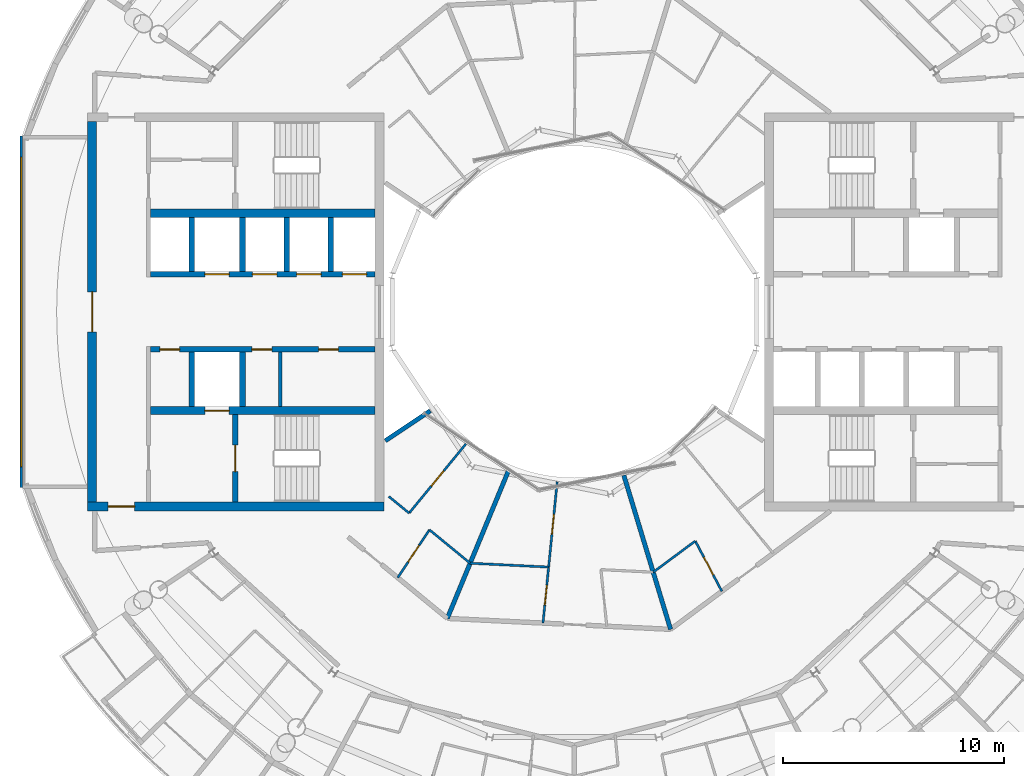
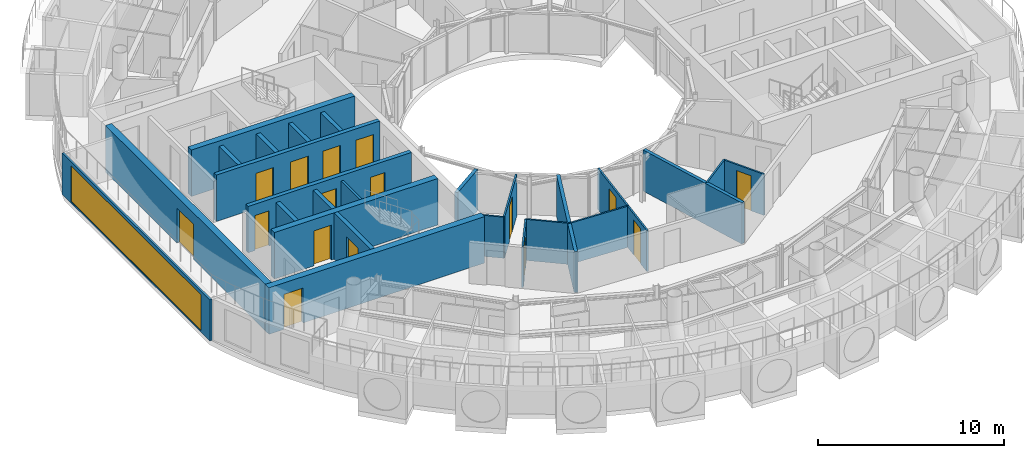
# One storey, part 14 of 25: 26 walls, 16 doors, 1 window, 17 openings.
"""IFC4 building model written with IfcOpenShell, lengths in metres."""

import ifcopenshell
import ifcopenshell.guid

model = None  # the IFC model being written
_history = None  # IfcOwnerHistory: only IFC2X3 demands one
_inside = {}  # id of a spatial element -> (the spatial element, [elements in it])
_under = {}  # id of a project, library or spatial element -> (it, [spatial elements below it])
_declared = {}  # id of a project -> (the project, [libraries it declares])
_typed = {}  # id of a type object -> (the type object, [elements of that type])
_made_of = {}  # id of a material, layer set ... -> (it, [elements and type objects made of it])


def new_model(schema):
    """Start an empty IFC model of exactly this schema.

    Asked for "IFC4X3", IfcOpenShell would pick the latest addendum, in which some entities
    have other attributes; the version numbers below select the first issue.
    IFC2X3 requires an IfcOwnerHistory on every rooted entity: one is made here for all.
    """
    global model, _history
    if schema == "IFC4X3":
        model = ifcopenshell.file(schema_version=(4, 3, 0, 0))
    else:
        model = ifcopenshell.file(schema=schema)
    _inside.clear()
    _under.clear()
    _declared.clear()
    _typed.clear()
    _made_of.clear()
    _history = None
    if model.schema == "IFC2X3":
        org = make("IfcOrganization", Name="unknown")
        user = make(
            "IfcPersonAndOrganization",
            ThePerson=make("IfcPerson", FamilyName="unknown"),
            TheOrganization=org,
        )
        app = make(
            "IfcApplication",
            ApplicationDeveloper=org,
            Version="unknown",
            ApplicationFullName="unknown",
            ApplicationIdentifier="unknown",
        )
        _history = make(
            "IfcOwnerHistory",
            OwningUser=user,
            OwningApplication=app,
            ChangeAction="ADDED",
            CreationDate=0,
        )
    return model


def make(cls, **values):
    """One entity of the class cls with the attributes given. An attribute that is None is left unset."""
    return model.create_entity(
        cls, **{name: value for name, value in values.items() if value is not None}
    )


def rooted(cls, **values):
    """An entity with a GlobalId (a new one), such as an element, a storey or a relation."""
    return make(cls, GlobalId=ifcopenshell.guid.new(), OwnerHistory=_history, **values)


def si_unit(unit_type, name, prefix=None):
    """IfcSIUnit, for example si_unit("LENGTHUNIT", "METRE", prefix="MILLI")."""
    return make("IfcSIUnit", UnitType=unit_type, Prefix=prefix, Name=name)


def assignment(units):
    """IfcUnitAssignment: the units of a project."""
    return None if units is None else make("IfcUnitAssignment", Units=units)


def point(xyz):
    """IfcCartesianPoint."""
    return None if xyz is None else make("IfcCartesianPoint", Coordinates=xyz)


def direction(xyz):
    """IfcDirection."""
    return None if xyz is None else make("IfcDirection", DirectionRatios=xyz)


def frame(location, z_axis=None, x_axis=None):
    """IfcAxis2Placement3D, a coordinate frame: its origin and axes. An axis left out is left unset."""
    return make(
        "IfcAxis2Placement3D",
        Location=point(location),
        Axis=direction(z_axis),
        RefDirection=direction(x_axis),
    )


def frame_2d(location, x_axis=None):
    """IfcAxis2Placement2D, a coordinate frame in the plane: its origin and x axis."""
    return make(
        "IfcAxis2Placement2D", Location=point(location), RefDirection=direction(x_axis)
    )


def origin():
    """The frame at (0, 0, 0) with its axes left unset."""
    return frame((0.0, 0.0, 0.0))


def place(relative_to, where):
    """IfcLocalPlacement: puts the frame where relative to a parent placement (None: the world)."""
    return make(
        "IfcLocalPlacement", PlacementRelTo=relative_to, RelativePlacement=where
    )


def context(
    kind, dimensions, precision=None, world=None, true_north=None, identifier=None
):
    """IfcGeometricRepresentationContext, for example the 3D "Model" context."""
    return make(
        "IfcGeometricRepresentationContext",
        ContextIdentifier=identifier,
        ContextType=kind,
        CoordinateSpaceDimension=dimensions,
        Precision=precision,
        WorldCoordinateSystem=world,
        TrueNorth=true_north,
    )


def subcontext(parent, identifier, kind, view, scale=None):
    """IfcGeometricRepresentationSubContext, for example "Body" below "Model"."""
    return make(
        "IfcGeometricRepresentationSubContext",
        ContextIdentifier=identifier,
        ContextType=kind,
        ParentContext=parent,
        TargetScale=scale,
        TargetView=view,
    )


def project(units=None, contexts=None):
    """IfcProject with its units and contexts."""
    return rooted(
        "IfcProject",
        Name="project",
        RepresentationContexts=contexts,
        UnitsInContext=assignment(units),
    )


def spatial(cls, under=None, at=None, **own):
    """A site, building, storey or space (cls), placed at a placement, below another one or the project."""
    s = rooted(cls, ObjectPlacement=at, **own)
    if under is not None:
        _under.setdefault(under.id(), (under, []))[1].append(s)
    return s


def profile(cls, at=None, kind="AREA", **sizes):
    """A parametric profile (cls). Its sizes go by their IFC names, for example OverallWidth=200.0."""
    return make(cls, ProfileType=kind, Position=at, **sizes)


def rectangle(**sizes):
    """IfcRectangleProfileDef."""
    return profile("IfcRectangleProfileDef", **sizes)


def extrude(swept, where, along, depth):
    """IfcExtrudedAreaSolid: the profile swept, set in the frame where, extruded along a direction by depth."""
    return make(
        "IfcExtrudedAreaSolid",
        SweptArea=swept,
        Position=where,
        ExtrudedDirection=direction(along),
        Depth=depth,
    )


def shape(context_of_items, identifier, shape_type, items):
    """IfcShapeRepresentation: the items that make up one representation, for example the "Body"."""
    return make(
        "IfcShapeRepresentation",
        ContextOfItems=context_of_items,
        RepresentationIdentifier=identifier,
        RepresentationType=shape_type,
        Items=items,
    )


def material(Name=None, Category=None):
    """IfcMaterial."""
    return make("IfcMaterial", Name=Name, Category=Category)


def layer(
    of_material, thickness, ventilated=None, Name=None, Category=None, Priority=None
):
    """IfcMaterialLayer: one layer of a wall or slab, of a material (None: an air gap)."""
    return make(
        "IfcMaterialLayer",
        Material=of_material,
        LayerThickness=thickness,
        IsVentilated=ventilated,
        Name=Name,
        Category=Category,
        Priority=Priority,
    )


def layer_set(layers, Name=None):
    """IfcMaterialLayerSet."""
    return make("IfcMaterialLayerSet", MaterialLayers=layers, LayerSetName=Name)


def made_of(thing, what):
    """Note that an element or type object is made of a material, layer set ...; save() writes the relation."""
    if what is not None:
        _made_of.setdefault(what.id(), (what, []))[1].append(thing)
    return thing


def type_object(cls, material=None, **own):
    """A type object (cls), such as IfcWallType, which elements share."""
    return made_of(rooted(cls, **own), material)


def element(
    cls,
    number,
    at=None,
    inside=None,
    cuts=None,
    type_object=None,
    material=None,
    context=None,
    identifier="Body",
    shape_type=None,
    held_by="IfcProductDefinitionShape",
    body=None,
    shapes=None,
    **own,
):
    """One element of the class cls, such as IfcWall. Its Tag is "e" and its number.

    at: its placement. inside: the storey or other place that contains it. cuts: it is an
    opening in that element (IfcRelVoidsElement). A single representation is given by context,
    identifier, shape_type and body (its items); several are given by shapes. held_by: the class
    of the entity that holds the representations. save() writes the other relations.
    """
    e = rooted(cls, Tag="e%d" % number, ObjectPlacement=at, **own)
    if body is not None:
        shapes = [shape(context, identifier, shape_type, body)]
    if shapes is not None:
        e.Representation = make(held_by, Representations=shapes)
    if inside is not None:
        _inside.setdefault(inside.id(), (inside, []))[1].append(e)
    if cuts is not None:
        rooted(
            "IfcRelVoidsElement", RelatingBuildingElement=cuts, RelatedOpeningElement=e
        )
    if type_object is not None:
        _typed.setdefault(type_object.id(), (type_object, []))[1].append(e)
    return made_of(e, material)


def fill(opening, filler):
    """IfcRelFillsElement: the door or window that sits in an opening."""
    return rooted(
        "IfcRelFillsElement",
        RelatingOpeningElement=opening,
        RelatedBuildingElement=filler,
    )


def aggregate(whole, parts):
    """IfcRelAggregates: a whole, such as a stair, and the parts it consists of."""
    return rooted("IfcRelAggregates", RelatingObject=whole, RelatedObjects=parts)


def save(model, path):
    """Write the relations noted so far, then the file.

    IfcRelAggregates (storeys below a building ...), IfcRelContainedInSpatialStructure (elements
    in a storey), IfcRelDefinesByType, IfcRelAssociatesMaterial and IfcRelDeclares: one each for
    every whole, place, type object, material and project.
    """
    for whole, parts in _under.values():
        aggregate(whole, parts)
    for where, things in _inside.values():
        rooted(
            "IfcRelContainedInSpatialStructure",
            RelatedElements=things,
            RelatingStructure=where,
        )
    for kind, things in _typed.values():
        rooted("IfcRelDefinesByType", RelatedObjects=things, RelatingType=kind)
    for what, things in _made_of.values():
        rooted("IfcRelAssociatesMaterial", RelatedObjects=things, RelatingMaterial=what)
    for by, libraries in _declared.values():
        rooted("IfcRelDeclares", RelatingContext=by, RelatedDefinitions=libraries)
    model.write(path)


model = new_model("IFC4")

# Units and contexts
model_context = context("Model", 3, precision=1e-05, world=origin(), true_north=direction((0.0, 1.0)))
body_context = subcontext(model_context, "Body", "Model", "MODEL_VIEW")
ifc_project = project(units=[si_unit("LENGTHUNIT", "METRE"), si_unit("AREAUNIT", "SQUARE_METRE"), si_unit("VOLUMEUNIT", "CUBIC_METRE"), si_unit("PLANEANGLEUNIT", "RADIAN"), si_unit("MASSUNIT", "GRAM", prefix="KILO")], contexts=[model_context])

# Site, building, storey
site_placement = place(None, origin())
site = spatial("IfcSite", under=ifc_project, at=site_placement, CompositionType="ELEMENT")
building_placement = place(site_placement, origin())
building = spatial("IfcBuilding", under=site, at=building_placement, Name="Maasbend Ring Residences", CompositionType="ELEMENT")
storey_placement = place(building_placement, frame((0.0, 0.0, 246.25)))
storey = spatial("IfcBuildingStorey", under=building, at=storey_placement, Name="L71", CompositionType="ELEMENT", Elevation=246.25)

# Wall, openings, doors
ifc_material_1 = material(Name="Concrete C50/60", Category="concrete")
ifc_layer_1 = layer(ifc_material_1, 0.25)
ifc_layer_set_1 = layer_set([ifc_layer_1], Name="Concrete C50/60")
wall_type_1 = type_object("IfcWallType", Name="CORE WALL 250 C50/60", PredefinedType="SHEAR", material=ifc_layer_set_1)
wall_1_placement = place(storey_placement, frame((-9.0, -1.699951171875, 0.0), z_axis=(0.0, 0.0, 1.0), x_axis=(-1.0, 0.0, 0.0)))
wall_1 = element("IfcWall", 1, at=wall_1_placement, inside=storey, type_object=wall_type_1, Name="L71 core W wall SPN", PredefinedType="SHEAR", context=body_context, shape_type="SweptSolid", body=[
    extrude(rectangle(XDim=10.14990234375, YDim=0.25, at=frame_2d((5.074951171875, 0.0))), origin(), (0.0, 0.0, 1.0), 3.050048828125),
])
opening_1_placement = place(wall_1_placement, frame((1.66259765625, 0.0, 0.0)))
opening_1 = element("IfcOpeningElement", 2, at=opening_1_placement, cuts=wall_1, Name="Opening D-W7106", PredefinedType="OPENING", context=body_context, shape_type="SweptSolid", body=[
    extrude(rectangle(XDim=0.89990234375, YDim=2.300048828125, at=frame_2d((0.449951171875, 1.14990234375))), frame((0.0, 0.135009765625, 0.0), z_axis=(0.0, -1.0, 0.0), x_axis=(1.0, 0.0, 0.0)), (0.0, 0.0, 1.0), 0.27001953125),
])
opening_2_placement = place(wall_1_placement, frame((4.675048828125, 0.0, 0.0)))
opening_2 = element("IfcOpeningElement", 3, at=opening_2_placement, cuts=wall_1, Name="Opening D-W7107", PredefinedType="OPENING", context=body_context, shape_type="SweptSolid", body=[
    extrude(rectangle(XDim=0.89990234375, YDim=2.300048828125, at=frame_2d((0.449951171875, 1.14990234375))), frame((0.0, 0.135009765625, 0.0), z_axis=(0.0, -1.0, 0.0), x_axis=(1.0, 0.0, 0.0)), (0.0, 0.0, 1.0), 0.27001953125),
])
opening_3_placement = place(wall_1_placement, frame((8.83740234375, 0.0, 0.0)))
opening_3 = element("IfcOpeningElement", 4, at=opening_3_placement, cuts=wall_1, Name="Opening D-W7108", PredefinedType="OPENING", context=body_context, shape_type="SweptSolid", body=[
    extrude(rectangle(XDim=0.89990234375, YDim=2.300048828125, at=frame_2d((0.449951171875, 1.14990234375))), frame((0.0, 0.135009765625, 0.0), z_axis=(0.0, -1.0, 0.0), x_axis=(1.0, 0.0, 0.0)), (0.0, 0.0, 1.0), 0.27001953125),
])
ifc_material_2 = material(Name="Steel, powder coated", Category="steel")
door_type_1 = type_object("IfcDoorType", Name="ROOM DOOR 900 X 2300 FD30S", OperationType="NOTDEFINED", PredefinedType="DOOR", material=ifc_material_2)
door_1_placement = place(opening_1_placement, origin())
door_1 = element("IfcDoor", 5, at=door_1_placement, inside=storey, type_object=door_type_1, Name="Room door L71", OperationType="SINGLE_SWING_RIGHT", OverallHeight=2.300048828125, OverallWidth=0.89990234375, PredefinedType="DOOR", context=body_context, shape_type="SweptSolid", body=[
    extrude(rectangle(XDim=0.89990234375, YDim=2.300048828125, at=frame_2d((0.449951171875, 1.14990234375))), frame((0.0, 0.02490234375, 0.0), z_axis=(0.0, -1.0, 0.0), x_axis=(1.0, 0.0, 0.0)), (0.0, 0.0, 1.0), 0.050048828125),
])
fill(opening_1, door_1)
door_2_placement = place(opening_2_placement, origin())
door_2 = element("IfcDoor", 6, at=door_2_placement, inside=storey, type_object=door_type_1, Name="Room door L71", OperationType="SINGLE_SWING_LEFT", OverallHeight=2.300048828125, OverallWidth=0.89990234375, PredefinedType="DOOR", context=body_context, shape_type="SweptSolid", body=[
    extrude(rectangle(XDim=0.89990234375, YDim=2.300048828125, at=frame_2d((0.449951171875, 1.14990234375))), frame((0.0, 0.02490234375, 0.0), z_axis=(0.0, -1.0, 0.0), x_axis=(1.0, 0.0, 0.0)), (0.0, 0.0, 1.0), 0.050048828125),
])
fill(opening_2, door_2)
door_3_placement = place(opening_3_placement, origin())
door_3 = element("IfcDoor", 7, at=door_3_placement, inside=storey, type_object=door_type_1, Name="Room door L71", OperationType="SINGLE_SWING_LEFT", OverallHeight=2.300048828125, OverallWidth=0.89990234375, PredefinedType="DOOR", context=body_context, shape_type="SweptSolid", body=[
    extrude(rectangle(XDim=0.89990234375, YDim=2.300048828125, at=frame_2d((0.449951171875, 1.14990234375))), frame((0.0, 0.02490234375, 0.0), z_axis=(0.0, -1.0, 0.0), x_axis=(1.0, 0.0, 0.0)), (0.0, 0.0, 1.0), 0.050048828125),
])
fill(opening_3, door_3)

# Wall, opening, door
wall_2_placement = place(storey_placement, frame((-15.324951171875, -4.64990234375, 0.0), z_axis=(0.0, 0.0, 1.0), x_axis=(0.0, -1.0, 0.0)))
wall_2 = element("IfcWall", 8, at=wall_2_placement, inside=storey, type_object=wall_type_1, Name="L71 core W wall STEN", PredefinedType="SHEAR", context=body_context, shape_type="SweptSolid", body=[
    extrude(rectangle(XDim=3.9501953125, YDim=0.25, at=frame_2d((1.97509765625, 0.0))), origin(), (0.0, 0.0, 1.0), 3.050048828125),
])
opening_4_placement = place(wall_2_placement, frame((1.375, 0.0, 0.0)))
opening_4 = element("IfcOpeningElement", 9, at=opening_4_placement, cuts=wall_2, Name="Opening D-W7110", PredefinedType="OPENING", context=body_context, shape_type="SweptSolid", body=[
    extrude(rectangle(XDim=1.199951171875, YDim=2.300048828125, at=frame_2d((0.60009765625, 1.14990234375))), frame((0.0, 0.135009765625, 0.0), z_axis=(0.0, -1.0, 0.0), x_axis=(1.0, 0.0, 0.0)), (0.0, 0.0, 1.0), 0.27001953125),
])
ifc_material_3 = material(Name="Steel, powder coated", Category="steel")
door_type_2 = type_object("IfcDoorType", Name="STAIR DOOR 1200 X 2300 FD60", OperationType="NOTDEFINED", PredefinedType="DOOR", material=ifc_material_3)
door_4_placement = place(opening_4_placement, origin())
door_4 = element("IfcDoor", 10, at=door_4_placement, inside=storey, type_object=door_type_2, Name="Stair door ST-W L71", OperationType="SINGLE_SWING_LEFT", OverallHeight=2.300048828125, OverallWidth=1.199951171875, PredefinedType="DOOR", context=body_context, shape_type="SweptSolid", body=[
    extrude(rectangle(XDim=1.199951171875, YDim=2.300048828125, at=frame_2d((0.60009765625, 1.14990234375))), frame((0.0, 0.02490234375, 0.0), z_axis=(0.0, -1.0, 0.0), x_axis=(1.0, 0.0, 0.0)), (0.0, 0.0, 1.0), 0.050048828125),
])
fill(opening_4, door_4)

# Wall, openings, doors
wall_3_placement = place(storey_placement, frame((-9.0, 1.699951171875, 0.0), z_axis=(0.0, 0.0, 1.0), x_axis=(-1.0, 0.0, 0.0)))
wall_3 = element("IfcWall", 11, at=wall_3_placement, inside=storey, type_object=wall_type_1, Name="L71 core W wall SPS", PredefinedType="SHEAR", context=body_context, shape_type="SweptSolid", body=[
    extrude(rectangle(XDim=10.14990234375, YDim=0.25, at=frame_2d((5.074951171875, 0.0))), origin(), (0.0, 0.0, 1.0), 3.050048828125),
])
opening_5_placement = place(wall_3_placement, frame((0.387451171875, 0.0, 0.0)))
opening_5 = element("IfcOpeningElement", 12, at=opening_5_placement, cuts=wall_3, Name="Opening LD-W7102", PredefinedType="OPENING", context=body_context, shape_type="SweptSolid", body=[
    extrude(rectangle(XDim=1.10009765625, YDim=2.300048828125, at=frame_2d((0.550048828125, 1.14990234375))), frame((0.0, 0.135009765625, 0.0), z_axis=(0.0, -1.0, 0.0), x_axis=(1.0, 0.0, 0.0)), (0.0, 0.0, 1.0), 0.27001953125),
])
opening_6_placement = place(wall_3_placement, frame((2.449951171875, 0.0, 0.0)))
opening_6 = element("IfcOpeningElement", 13, at=opening_6_placement, cuts=wall_3, Name="Opening LD-W7103", PredefinedType="OPENING", context=body_context, shape_type="SweptSolid", body=[
    extrude(rectangle(XDim=1.10009765625, YDim=2.300048828125, at=frame_2d((0.550048828125, 1.14990234375))), frame((0.0, 0.135009765625, 0.0), z_axis=(0.0, -1.0, 0.0), x_axis=(1.0, 0.0, 0.0)), (0.0, 0.0, 1.0), 0.27001953125),
])
opening_7_placement = place(wall_3_placement, frame((4.449951171875, 0.0, 0.0)))
opening_7 = element("IfcOpeningElement", 14, at=opening_7_placement, cuts=wall_3, Name="Opening LD-W7104", PredefinedType="OPENING", context=body_context, shape_type="SweptSolid", body=[
    extrude(rectangle(XDim=1.10009765625, YDim=2.300048828125, at=frame_2d((0.550048828125, 1.14990234375))), frame((0.0, 0.135009765625, 0.0), z_axis=(0.0, -1.0, 0.0), x_axis=(1.0, 0.0, 0.0)), (0.0, 0.0, 1.0), 0.27001953125),
])
opening_8_placement = place(wall_3_placement, frame((6.60009765625, 0.0, 0.0)))
opening_8 = element("IfcOpeningElement", 15, at=opening_8_placement, cuts=wall_3, Name="Opening LD-W7105", PredefinedType="OPENING", context=body_context, shape_type="SweptSolid", body=[
    extrude(rectangle(XDim=1.10009765625, YDim=2.300048828125, at=frame_2d((0.550048828125, 1.14990234375))), frame((0.0, 0.135009765625, 0.0), z_axis=(0.0, -1.0, 0.0), x_axis=(1.0, 0.0, 0.0)), (0.0, 0.0, 1.0), 0.27001953125),
])
ifc_material_4 = material(Name="Stainless steel 316", Category="steel")
door_type_3 = type_object("IfcDoorType", Name="LANDING DOOR 1100 X 2300 FD60", OperationType="DOUBLE_DOOR_SLIDING", PredefinedType="DOOR", material=ifc_material_4)
door_5_placement = place(opening_5_placement, origin())
door_5 = element("IfcDoor", 16, at=door_5_placement, inside=storey, type_object=door_type_3, Name="Landing door HR-W1 L71", OperationType="DOUBLE_DOOR_SLIDING", OverallHeight=2.300048828125, OverallWidth=1.10009765625, PredefinedType="DOOR", context=body_context, shape_type="SweptSolid", body=[
    extrude(rectangle(XDim=1.10009765625, YDim=2.300048828125, at=frame_2d((0.550048828125, 1.14990234375))), frame((0.0, 0.02490234375, 0.0), z_axis=(0.0, -1.0, 0.0), x_axis=(1.0, 0.0, 0.0)), (0.0, 0.0, 1.0), 0.050048828125),
])
fill(opening_5, door_5)
door_6_placement = place(opening_6_placement, origin())
door_6 = element("IfcDoor", 17, at=door_6_placement, inside=storey, type_object=door_type_3, Name="Landing door HR-W2 L71", OperationType="DOUBLE_DOOR_SLIDING", OverallHeight=2.300048828125, OverallWidth=1.10009765625, PredefinedType="DOOR", context=body_context, shape_type="SweptSolid", body=[
    extrude(rectangle(XDim=1.10009765625, YDim=2.300048828125, at=frame_2d((0.550048828125, 1.14990234375))), frame((0.0, 0.02490234375, 0.0), z_axis=(0.0, -1.0, 0.0), x_axis=(1.0, 0.0, 0.0)), (0.0, 0.0, 1.0), 0.050048828125),
])
fill(opening_6, door_6)
door_7_placement = place(opening_7_placement, origin())
door_7 = element("IfcDoor", 18, at=door_7_placement, inside=storey, type_object=door_type_3, Name="Landing door HR-W3 L71", OperationType="DOUBLE_DOOR_SLIDING", OverallHeight=2.300048828125, OverallWidth=1.10009765625, PredefinedType="DOOR", context=body_context, shape_type="SweptSolid", body=[
    extrude(rectangle(XDim=1.10009765625, YDim=2.300048828125, at=frame_2d((0.550048828125, 1.14990234375))), frame((0.0, 0.02490234375, 0.0), z_axis=(0.0, -1.0, 0.0), x_axis=(1.0, 0.0, 0.0)), (0.0, 0.0, 1.0), 0.050048828125),
])
fill(opening_7, door_7)
door_8_placement = place(opening_8_placement, origin())
door_8 = element("IfcDoor", 19, at=door_8_placement, inside=storey, type_object=door_type_3, Name="Landing door SV-W L71", OperationType="DOUBLE_DOOR_SLIDING", OverallHeight=2.300048828125, OverallWidth=1.10009765625, PredefinedType="DOOR", context=body_context, shape_type="SweptSolid", body=[
    extrude(rectangle(XDim=1.10009765625, YDim=2.300048828125, at=frame_2d((0.550048828125, 1.14990234375))), frame((0.0, 0.02490234375, 0.0), z_axis=(0.0, -1.0, 0.0), x_axis=(1.0, 0.0, 0.0)), (0.0, 0.0, 1.0), 0.050048828125),
])
fill(opening_8, door_8)

# Wall, opening, door
ifc_material_5 = material(Name="Concrete C50/60", Category="concrete")
ifc_layer_2 = layer(ifc_material_5, 0.375)
ifc_layer_set_2 = layer_set([ifc_layer_2], Name="Concrete C50/60")
wall_type_2 = type_object("IfcWallType", Name="CORE WALL 375 C50/60", PredefinedType="SHEAR", material=ifc_layer_set_2)
wall_4_placement = place(storey_placement, frame((-9.0, -4.46240234375, 0.0), z_axis=(0.0, 0.0, 1.0), x_axis=(-1.0, 0.0, 0.0)))
wall_4 = element("IfcWall", 20, at=wall_4_placement, inside=storey, type_object=wall_type_2, Name="L71 core W wall BN", PredefinedType="SHEAR", context=body_context, shape_type="SweptSolid", body=[
    extrude(rectangle(XDim=10.14990234375, YDim=0.375, at=frame_2d((5.074951171875, 0.0))), origin(), (0.0, 0.0, 1.0), 3.050048828125),
])
opening_9_placement = place(wall_4_placement, frame((6.60009765625, 0.0, 0.0)))
opening_9 = element("IfcOpeningElement", 21, at=opening_9_placement, cuts=wall_4, Name="Opening LD-W7101", PredefinedType="OPENING", context=body_context, shape_type="SweptSolid", body=[
    extrude(rectangle(XDim=1.10009765625, YDim=2.300048828125, at=frame_2d((0.550048828125, 1.14990234375))), frame((0.0, 0.197509765625, 0.0), z_axis=(0.0, -1.0, 0.0), x_axis=(1.0, 0.0, 0.0)), (0.0, 0.0, 1.0), 0.39501953125),
])
door_9_placement = place(opening_9_placement, origin())
door_9 = element("IfcDoor", 22, at=door_9_placement, inside=storey, type_object=door_type_3, Name="Landing door FF-W L71", OperationType="DOUBLE_DOOR_SLIDING", OverallHeight=2.300048828125, OverallWidth=1.10009765625, PredefinedType="DOOR", context=body_context, shape_type="SweptSolid", body=[
    extrude(rectangle(XDim=1.10009765625, YDim=2.300048828125, at=frame_2d((0.550048828125, 1.14990234375))), frame((0.0, 0.02490234375, 0.0), z_axis=(0.0, -1.0, 0.0), x_axis=(1.0, 0.0, 0.0)), (0.0, 0.0, 1.0), 0.050048828125),
])
fill(opening_9, door_9)

# Wall
wall_5_placement = place(storey_placement, frame((-9.0, 4.46240234375, 0.0), z_axis=(0.0, 0.0, 1.0), x_axis=(-1.0, 0.0, 0.0)))
element("IfcWall", 23, at=wall_5_placement, inside=storey, type_object=wall_type_2, Name="L71 core W wall BS", PredefinedType="SHEAR", context=body_context, shape_type="SweptSolid", body=[
    extrude(rectangle(XDim=10.14990234375, YDim=0.375, at=frame_2d((5.074951171875, 0.0))), origin(), (0.0, 0.0, 1.0), 3.050048828125),
])

# Wall, opening, door
ifc_material_6 = material(Name="Concrete C50/60", Category="concrete")
ifc_layer_3 = layer(ifc_material_6, 0.39990234375)
ifc_layer_set_3 = layer_set([ifc_layer_3], Name="Concrete C50/60")
wall_type_3 = type_object("IfcWallType", Name="CORE WALL 400 C50/60", PredefinedType="SHEAR", material=ifc_layer_set_3)
wall_6_placement = place(storey_placement, frame((-22.0, -8.800048828125, 0.0), z_axis=(0.0, 0.0, 1.0), x_axis=(1.0, 0.0, 0.0)))
wall_6 = element("IfcWall", 24, at=wall_6_placement, inside=storey, type_object=wall_type_3, Name="L71 core W wall PN", PredefinedType="SHEAR", context=body_context, shape_type="SweptSolid", body=[
    extrude(rectangle(XDim=13.39990234375, YDim=0.39990234375, at=frame_2d((6.699951171875, 0.0))), origin(), (0.0, 0.0, 1.0), 3.050048828125),
])
opening_10_placement = place(wall_6_placement, frame((0.925048828125, 0.0, 0.0)))
opening_10 = element("IfcOpeningElement", 25, at=opening_10_placement, cuts=wall_6, Name="Opening D-W7114", PredefinedType="OPENING", context=body_context, shape_type="SweptSolid", body=[
    extrude(rectangle(XDim=1.199951171875, YDim=2.300048828125, at=frame_2d((0.60009765625, 1.14990234375))), frame((0.0, 0.2099609375, 0.0), z_axis=(0.0, -1.0, 0.0), x_axis=(1.0, 0.0, 0.0)), (0.0, 0.0, 1.0), 0.419921875),
])
ifc_material_7 = material(Name="Steel, powder coated", Category="steel")
door_type_4 = type_object("IfcDoorType", Name="CORRIDOR DOOR 1200 X 2300 FD30S", OperationType="NOTDEFINED", PredefinedType="DOOR", material=ifc_material_7)
door_10_placement = place(opening_10_placement, origin())
door_10 = element("IfcDoor", 26, at=door_10_placement, inside=storey, type_object=door_type_4, Name="Corridor door L71", OperationType="SINGLE_SWING_RIGHT", OverallHeight=2.300048828125, OverallWidth=1.199951171875, PredefinedType="DOOR", context=body_context, shape_type="SweptSolid", body=[
    extrude(rectangle(XDim=1.199951171875, YDim=2.300048828125, at=frame_2d((0.60009765625, 1.14990234375))), frame((0.0, 0.02490234375, 0.0), z_axis=(0.0, -1.0, 0.0), x_axis=(1.0, 0.0, 0.0)), (0.0, 0.0, 1.0), 0.050048828125),
])
fill(opening_10, door_10)

wall_7_placement = place(storey_placement, frame((-21.800048828125, -8.60009765625, 0.0), z_axis=(0.0, 0.0, 1.0), x_axis=(0.0, 1.0, 0.0)))
wall_7 = element("IfcWall", 27, at=wall_7_placement, inside=storey, type_object=wall_type_3, Name="L71 core W wall POUT", PredefinedType="SHEAR", context=body_context, shape_type="SweptSolid", body=[
    extrude(rectangle(XDim=17.2001953125, YDim=0.39990234375, at=frame_2d((8.60009765625, 0.0))), origin(), (0.0, 0.0, 1.0), 3.050048828125),
])
opening_11_placement = place(wall_7_placement, frame((7.699951171875, 0.0, 0.0)))
opening_11 = element("IfcOpeningElement", 28, at=opening_11_placement, cuts=wall_7, Name="Opening D-W7116", PredefinedType="OPENING", context=body_context, shape_type="SweptSolid", body=[
    extrude(rectangle(XDim=1.800048828125, YDim=2.300048828125, at=frame_2d((0.89990234375, 1.14990234375))), frame((0.0, 0.2099609375, 0.0), z_axis=(0.0, -1.0, 0.0), x_axis=(1.0, 0.0, 0.0)), (0.0, 0.0, 1.0), 0.419921875),
])
ifc_material_8 = material(Name="Aluminium frame, clear glass", Category="aluminium")
door_type_5 = type_object("IfcDoorType", Name="ENTRANCE DOOR 1800 X 2300 FD60", OperationType="NOTDEFINED", PredefinedType="DOOR", material=ifc_material_8)
door_11_placement = place(opening_11_placement, origin())
door_11 = element("IfcDoor", 29, at=door_11_placement, inside=storey, type_object=door_type_5, Name="Lobby glazed door L71", OperationType="SINGLE_SWING_LEFT", OverallHeight=2.300048828125, OverallWidth=1.800048828125, PredefinedType="DOOR", context=body_context, shape_type="SweptSolid", body=[
    extrude(rectangle(XDim=1.800048828125, YDim=2.300048828125, at=frame_2d((0.89990234375, 1.14990234375))), frame((0.0, 0.02490234375, 0.0), z_axis=(0.0, -1.0, 0.0), x_axis=(1.0, 0.0, 0.0)), (0.0, 0.0, 1.0), 0.050048828125),
])
fill(opening_11, door_11)

# Wall, opening, window
ifc_material_9 = material(Name="Aluminium frame and clear glass", Category="aluminium")
ifc_layer_4 = layer(ifc_material_9, 0.1201171875)
ifc_layer_set_4 = layer_set([ifc_layer_4], Name="GLAZED SCREEN WALL 120 EI 60")
wall_type_4 = type_object("IfcWallType", Name="GLAZED SCREEN WALL 120 EI 60", PredefinedType="PARTITIONING", material=ifc_layer_set_4)
wall_8_placement = place(storey_placement, frame((-25.0, 7.949951171875, 0.0), z_axis=(0.0, 0.0, 1.0), x_axis=(0.0, -1.0, 0.0)))
wall_8 = element("IfcWall", 30, at=wall_8_placement, inside=storey, type_object=wall_type_4, Name="L71 core W wall FACE", PredefinedType="PARTITIONING", context=body_context, shape_type="SweptSolid", body=[
    extrude(rectangle(XDim=15.89990234375, YDim=0.1201171875, at=frame_2d((7.949951171875, 0.0))), origin(), (0.0, 0.0, 1.0), 2.699951171875),
])
opening_12_placement = place(wall_8_placement, frame((0.949951171875, 0.0, 0.10009765625)))
opening_12 = element("IfcOpeningElement", 31, at=opening_12_placement, cuts=wall_8, Name="Opening W-W7102", PredefinedType="OPENING", context=body_context, shape_type="SweptSolid", body=[
    extrude(rectangle(XDim=14.0, YDim=2.35009765625, at=frame_2d((7.0, 1.175048828125))), frame((0.0, 0.070068359375, 0.0), z_axis=(0.0, -1.0, 0.0), x_axis=(1.0, 0.0, 0.0)), (0.0, 0.0, 1.0), 0.14013671875),
])
ifc_material_10 = material(Name="Aluminium frame and clear glass", Category="aluminium")
window_type = type_object("IfcWindowType", Name="FIXED WINDOW 14000 X 2350", PartitioningType="SINGLE_PANEL", PredefinedType="WINDOW", material=ifc_material_10)
window_placement = place(opening_12_placement, origin())
window = element("IfcWindow", 32, at=window_placement, inside=storey, type_object=window_type, Name="Lobby window L71", OverallHeight=2.35009765625, OverallWidth=14.0, PartitioningType="SINGLE_PANEL", PredefinedType="WINDOW", context=body_context, shape_type="SweptSolid", body=[
    extrude(rectangle(XDim=14.0, YDim=2.35009765625, at=frame_2d((7.0, 1.175048828125))), frame((0.0, 0.030029296875, 0.0), z_axis=(0.0, -1.0, 0.0), x_axis=(1.0, 0.0, 0.0)), (0.0, 0.0, 1.0), 0.06005859375),
])
fill(opening_12, window)

# Walls
ifc_material_11 = material(Name="Gypsum board on steel studs", Category="steel")
ifc_layer_5 = layer(ifc_material_11, 0.10009765625)
ifc_layer_set_5 = layer_set([ifc_layer_5], Name="PARTITION 100 GYPSUM")
wall_type_5 = type_object("IfcWallType", Name="PARTITION 100 GYPSUM", PredefinedType="PARTITIONING", material=ifc_layer_set_5)
wall_9_placement = place(storey_placement, frame((-8.386962890625, -8.343994140625, 0.0), z_axis=(0.0, 0.0, 1.0), x_axis=(0.772869802794, -0.634564628646, 0.0)))
element("IfcWall", 33, at=wall_9_placement, inside=storey, type_object=wall_type_5, Name="U-L71-w020", PredefinedType="PARTITIONING", context=body_context, shape_type="SweptSolid", body=[
    extrude(rectangle(XDim=1.191650390625, YDim=0.10009765625, at=frame_2d((0.595703125, 0.0))), origin(), (0.0, 0.0, 1.0), 2.699951171875),
])
wall_10_placement = place(storey_placement, frame((-6.547119140625, -9.85400390625, 0.0), z_axis=(0.0, 0.0, 1.0), x_axis=(0.773033390712, -0.634365333893, 0.0)))
element("IfcWall", 34, at=wall_10_placement, inside=storey, type_object=wall_type_5, Name="U-L71-w021", PredefinedType="PARTITIONING", context=body_context, shape_type="SweptSolid", body=[
    extrude(rectangle(XDim=2.38037109375, YDim=0.10009765625, at=frame_2d((1.190185546875, 0.0))), origin(), (0.0, 0.0, 1.0), 2.699951171875),
])
wall_11_placement = place(storey_placement, frame((-4.70703125, -11.364013671875, 0.0), z_axis=(0.0, 0.0, 1.0), x_axis=(0.998798028825, -0.04901527941, 0.0)))
element("IfcWall", 35, at=wall_11_placement, inside=storey, type_object=wall_type_5, Name="U-L71-w022", PredefinedType="PARTITIONING", context=body_context, shape_type="SweptSolid", body=[
    extrude(rectangle(XDim=3.55126953125, YDim=0.10009765625, at=frame_2d((1.775634765625, 0.0))), origin(), (0.0, 0.0, 1.0), 2.699951171875),
])
wall_12_placement = place(storey_placement, frame((3.571044921875, -11.77001953125, 0.0), z_axis=(0.0, 0.0, 1.0), x_axis=(0.803182415278, 0.59573316828, 0.0)))
element("IfcWall", 36, at=wall_12_placement, inside=storey, type_object=wall_type_5, Name="U-L71-w024", PredefinedType="PARTITIONING", context=body_context, shape_type="SweptSolid", body=[
    extrude(rectangle(XDim=2.36669921875, YDim=0.10009765625, at=frame_2d((1.183349609375, 0.0))), origin(), (0.0, 0.0, 1.0), 2.699951171875),
])

# Wall, opening, door
wall_13_placement = place(storey_placement, frame((-7.98388671875, -12.01708984375, 0.0), z_axis=(0.0, 0.0, 1.0), x_axis=(0.553289146762, 0.832989267683, 0.0)))
wall_13 = element("IfcWall", 37, at=wall_13_placement, inside=storey, type_object=wall_type_5, Name="U-L71-w045", PredefinedType="PARTITIONING", context=body_context, shape_type="SweptSolid", body=[
    extrude(rectangle(XDim=2.5966796875, YDim=0.10009765625, at=frame_2d((1.29833984375, 0.0))), origin(), (0.0, 0.0, 1.0), 2.699951171875),
])
opening_13_placement = place(wall_13_placement, frame((0.847900390625, 0.0, 0.0)))
opening_13 = element("IfcOpeningElement", 38, at=opening_13_placement, cuts=wall_13, Name="Opening D-7156", PredefinedType="OPENING", context=body_context, shape_type="SweptSolid", body=[
    extrude(rectangle(XDim=0.89990234375, YDim=2.300048828125, at=frame_2d((0.449951171875, 1.14990234375))), frame((0.0, 0.06005859375, 0.0), z_axis=(0.0, -1.0, 0.0), x_axis=(1.0, 0.0, 0.0)), (0.0, 0.0, 1.0), 0.1201171875),
])
ifc_material_12 = material(Name="Timber, painted", Category="wood")
door_type_6 = type_object("IfcDoorType", Name="INTERNAL DOOR 900 X 2300", OperationType="NOTDEFINED", PredefinedType="DOOR", material=ifc_material_12)
door_12_placement = place(opening_13_placement, origin())
door_12 = element("IfcDoor", 39, at=door_12_placement, inside=storey, type_object=door_type_6, Name="D-7156", OperationType="SINGLE_SWING_RIGHT", OverallHeight=2.300048828125, OverallWidth=0.89990234375, PredefinedType="DOOR", context=body_context, shape_type="SweptSolid", body=[
    extrude(rectangle(XDim=0.89990234375, YDim=2.300048828125, at=frame_2d((0.449951171875, 1.14990234375))), frame((0.0, 0.02490234375, 0.0), z_axis=(0.0, -1.0, 0.0), x_axis=(1.0, 0.0, 0.0)), (0.0, 0.0, 1.0), 0.050048828125),
])
fill(opening_13, door_12)

wall_14_placement = place(storey_placement, frame((-7.467041015625, -9.09912109375, 0.0), z_axis=(0.0, 0.0, 1.0), x_axis=(0.634313840507, 0.773075644256, 0.0)))
wall_14 = element("IfcWall", 40, at=wall_14_placement, inside=storey, type_object=wall_type_5, Name="U-L71-w047", PredefinedType="PARTITIONING", context=body_context, shape_type="SweptSolid", body=[
    extrude(rectangle(XDim=4.05029296875, YDim=0.10009765625, at=frame_2d((2.025146484375, 0.0))), origin(), (0.0, 0.0, 1.0), 2.699951171875),
])
opening_14_placement = place(wall_14_placement, frame((1.574951171875, 0.0, 0.0)))
opening_14 = element("IfcOpeningElement", 41, at=opening_14_placement, cuts=wall_14, Name="Opening D-7157", PredefinedType="OPENING", context=body_context, shape_type="SweptSolid", body=[
    extrude(rectangle(XDim=0.89990234375, YDim=2.300048828125, at=frame_2d((0.449951171875, 1.14990234375))), frame((0.0, 0.06005859375, 0.0), z_axis=(0.0, -1.0, 0.0), x_axis=(1.0, 0.0, 0.0)), (0.0, 0.0, 1.0), 0.1201171875),
])
door_13_placement = place(opening_14_placement, origin())
door_13 = element("IfcDoor", 42, at=door_13_placement, inside=storey, type_object=door_type_6, Name="D-7157", OperationType="SINGLE_SWING_RIGHT", OverallHeight=2.300048828125, OverallWidth=0.89990234375, PredefinedType="DOOR", context=body_context, shape_type="SweptSolid", body=[
    extrude(rectangle(XDim=0.89990234375, YDim=2.300048828125, at=frame_2d((0.449951171875, 1.14990234375))), frame((0.0, 0.02490234375, 0.0), z_axis=(0.0, -1.0, 0.0), x_axis=(1.0, 0.0, 0.0)), (0.0, 0.0, 1.0), 0.050048828125),
])
fill(opening_14, door_13)

# Wall, openings, doors
wall_15_placement = place(storey_placement, frame((-1.4140625, -14.071044921875, 0.0), z_axis=(0.0, 0.0, 1.0), x_axis=(0.100128481499, 0.994974515851, 0.0)))
wall_15 = element("IfcWall", 43, at=wall_15_placement, inside=storey, type_object=wall_type_5, Name="U-L71-w058", PredefinedType="PARTITIONING", context=body_context, shape_type="SweptSolid", body=[
    extrude(rectangle(XDim=6.42236328125, YDim=0.10009765625, at=frame_2d((3.211181640625, 0.0))), origin(), (0.0, 0.0, 1.0), 2.699951171875),
])
opening_15_placement = place(wall_15_placement, frame((0.822998046875, 0.0, 0.0)))
opening_15 = element("IfcOpeningElement", 44, at=opening_15_placement, cuts=wall_15, Name="Opening D-7160", PredefinedType="OPENING", context=body_context, shape_type="SweptSolid", body=[
    extrude(rectangle(XDim=0.89990234375, YDim=2.300048828125, at=frame_2d((0.449951171875, 1.14990234375))), frame((0.0, 0.06005859375, 0.0), z_axis=(0.0, -1.0, 0.0), x_axis=(1.0, 0.0, 0.0)), (0.0, 0.0, 1.0), 0.1201171875),
])
opening_16_placement = place(wall_15_placement, frame((4.034912109375, 0.0, 0.0)))
opening_16 = element("IfcOpeningElement", 45, at=opening_16_placement, cuts=wall_15, Name="Opening D-7161", PredefinedType="OPENING", context=body_context, shape_type="SweptSolid", body=[
    extrude(rectangle(XDim=0.89990234375, YDim=2.300048828125, at=frame_2d((0.449951171875, 1.14990234375))), frame((0.0, 0.06005859375, 0.0), z_axis=(0.0, -1.0, 0.0), x_axis=(1.0, 0.0, 0.0)), (0.0, 0.0, 1.0), 0.1201171875),
])
door_14_placement = place(opening_15_placement, origin())
door_14 = element("IfcDoor", 46, at=door_14_placement, inside=storey, type_object=door_type_6, Name="D-7160", OperationType="SINGLE_SWING_LEFT", OverallHeight=2.300048828125, OverallWidth=0.89990234375, PredefinedType="DOOR", context=body_context, shape_type="SweptSolid", body=[
    extrude(rectangle(XDim=0.89990234375, YDim=2.300048828125, at=frame_2d((0.449951171875, 1.14990234375))), frame((0.0, 0.02490234375, 0.0), z_axis=(0.0, -1.0, 0.0), x_axis=(1.0, 0.0, 0.0)), (0.0, 0.0, 1.0), 0.050048828125),
])
fill(opening_15, door_14)
door_15_placement = place(opening_16_placement, origin())
door_15 = element("IfcDoor", 47, at=door_15_placement, inside=storey, type_object=door_type_6, Name="D-7161", OperationType="SINGLE_SWING_RIGHT", OverallHeight=2.300048828125, OverallWidth=0.89990234375, PredefinedType="DOOR", context=body_context, shape_type="SweptSolid", body=[
    extrude(rectangle(XDim=0.89990234375, YDim=2.300048828125, at=frame_2d((0.449951171875, 1.14990234375))), frame((0.0, 0.02490234375, 0.0), z_axis=(0.0, -1.0, 0.0), x_axis=(1.0, 0.0, 0.0)), (0.0, 0.0, 1.0), 0.050048828125),
])
fill(opening_16, door_15)

# Wall, opening, door
wall_16_placement = place(storey_placement, frame((5.471923828125, -10.360107421875, 0.0), z_axis=(0.0, 0.0, 1.0), x_axis=(0.467373035141, -0.884060204976, 0.0)))
wall_16 = element("IfcWall", 48, at=wall_16_placement, inside=storey, type_object=wall_type_5, Name="U-L71-w071", PredefinedType="PARTITIONING", context=body_context, shape_type="SweptSolid", body=[
    extrude(rectangle(XDim=2.572021484375, YDim=0.10009765625, at=frame_2d((1.2861328125, 0.0))), origin(), (0.0, 0.0, 1.0), 2.699951171875),
])
opening_17_placement = place(wall_16_placement, frame((0.8359375, 0.0, 0.0)))
opening_17 = element("IfcOpeningElement", 49, at=opening_17_placement, cuts=wall_16, Name="Opening D-7163", PredefinedType="OPENING", context=body_context, shape_type="SweptSolid", body=[
    extrude(rectangle(XDim=0.89990234375, YDim=2.300048828125, at=frame_2d((0.449951171875, 1.14990234375))), frame((0.0, 0.06005859375, 0.0), z_axis=(0.0, -1.0, 0.0), x_axis=(1.0, 0.0, 0.0)), (0.0, 0.0, 1.0), 0.1201171875),
])
door_16_placement = place(opening_17_placement, origin())
door_16 = element("IfcDoor", 50, at=door_16_placement, inside=storey, type_object=door_type_6, Name="D-7163", OperationType="SINGLE_SWING_LEFT", OverallHeight=2.300048828125, OverallWidth=0.89990234375, PredefinedType="DOOR", context=body_context, shape_type="SweptSolid", body=[
    extrude(rectangle(XDim=0.89990234375, YDim=2.300048828125, at=frame_2d((0.449951171875, 1.14990234375))), frame((0.0, 0.02490234375, 0.0), z_axis=(0.0, -1.0, 0.0), x_axis=(1.0, 0.0, 0.0)), (0.0, 0.0, 1.0), 0.050048828125),
])
fill(opening_17, door_16)

# Walls
ifc_material_13 = material(Name="Gypsum board on steel studs", Category="steel")
ifc_layer_6 = layer(ifc_material_13, 0.14990234375)
ifc_layer_set_6 = layer_set([ifc_layer_6], Name="PARTITION 150 EI 60")
wall_type_6 = type_object("IfcWallType", Name="PARTITION 150 EI 60", PredefinedType="PARTITIONING", material=ifc_layer_set_6)
wall_17_placement = place(storey_placement, frame((-13.300048828125, -1.824951171875, 0.0), z_axis=(0.0, 0.0, 1.0), x_axis=(0.0, -1.0, 0.0)))
element("IfcWall", 51, at=wall_17_placement, inside=storey, type_object=wall_type_6, Name="L71 core W wall PRN1330", PredefinedType="PARTITIONING", context=body_context, shape_type="SweptSolid", body=[
    extrude(rectangle(XDim=2.449951171875, YDim=0.14990234375, at=frame_2d((1.22509765625, 0.0))), origin(), (0.0, 0.0, 1.0), 2.699951171875),
])
ifc_material_14 = material(Name="Concrete C30/37", Category="concrete")
ifc_layer_7 = layer(ifc_material_14, 0.199951171875)
ifc_layer_set_7 = layer_set([ifc_layer_7], Name="Concrete C30/37")
wall_type_7 = type_object("IfcWallType", Name="PARTY WALL 200 CONCRETE", PredefinedType="PARTITIONING", material=ifc_layer_set_7)
wall_18_placement = place(storey_placement, frame((-6.512939453125, -4.471923828125, 0.0), z_axis=(0.0, 0.0, 1.0), x_axis=(-0.831450132577, -0.555599385382, 0.0)))
element("IfcWall", 52, at=wall_18_placement, inside=storey, type_object=wall_type_7, Name="U-L71-w028", PredefinedType="PARTITIONING", context=body_context, shape_type="SweptSolid", body=[
    extrude(rectangle(XDim=2.442626953125, YDim=0.199951171875, at=frame_2d((1.22119140625, 0.0))), origin(), (0.0, 0.0, 1.0), 2.699951171875),
])
wall_19_placement = place(storey_placement, frame((-5.739990234375, -13.85791015625, 0.0), z_axis=(0.0, 0.0, 1.0), x_axis=(0.38267858248, 0.923881541385, 0.0)))
element("IfcWall", 53, at=wall_19_placement, inside=storey, type_object=wall_type_7, Name="U-L71-w051", PredefinedType="PARTITIONING", context=body_context, shape_type="SweptSolid", body=[
    extrude(rectangle(XDim=7.280029296875, YDim=0.199951171875, at=frame_2d((3.64013671875, 0.0))), origin(), (0.0, 0.0, 1.0), 2.699951171875),
])
wall_20_placement = place(storey_placement, frame((2.240966796875, -7.387939453125, 0.0), z_axis=(0.0, 0.0, 1.0), x_axis=(0.29039551313, -0.956906707027, 0.0)))
element("IfcWall", 54, at=wall_20_placement, inside=storey, type_object=wall_type_7, Name="U-L71-w064", PredefinedType="PARTITIONING", context=body_context, shape_type="SweptSolid", body=[
    extrude(rectangle(XDim=7.27978515625, YDim=0.199951171875, at=frame_2d((3.639892578125, 0.0))), origin(), (0.0, 0.0, 1.0), 2.699951171875),
])
ifc_material_15 = material(Name="Concrete C30/37", Category="concrete")
ifc_layer_8 = layer(ifc_material_15, 0.25)
ifc_layer_set_8 = layer_set([ifc_layer_8], Name="Concrete C30/37")
wall_type_8 = type_object("IfcWallType", Name="SHAFT WALL 250 EI 120", PredefinedType="SOLIDWALL", material=ifc_layer_set_8)
for number, where, z_axis, x_axis, name in (
    (55, (-15.0, -1.824951171875, 0.0), (0.0, 0.0, 1.0), (0.0, -1.0, 0.0), "L71 core W wall D150N"),
    (56, (-17.300048828125, -1.824951171875, 0.0), (0.0, 0.0, 1.0), (0.0, -1.0, 0.0), "L71 core W wall D173N"),
    (57, (-15.0, 1.824951171875, 0.0), (0.0, 0.0, 1.0), (0.0, 1.0, 0.0), "L71 core W wall D150S"),
    (58, (-17.300048828125, 1.824951171875, 0.0), (0.0, 0.0, 1.0), (0.0, 1.0, 0.0), "L71 core W wall D173S"),
    (59, (-11.0, 1.824951171875, 0.0), (0.0, 0.0, 1.0), (0.0, 1.0, 0.0), "L71 core W wall D110S"),
    (60, (-13.0, 1.824951171875, 0.0), (0.0, 0.0, 1.0), (0.0, 1.0, 0.0), "L71 core W wall D130S"),
):
    element("IfcWall", number, at=place(storey_placement, frame(where, z_axis=z_axis, x_axis=x_axis)), inside=storey, type_object=wall_type_8, Name=name, PredefinedType="SOLIDWALL", context=body_context, shape_type="SweptSolid", body=[
        extrude(rectangle(XDim=2.449951171875, YDim=0.25, at=frame_2d((1.22509765625, 0.0))), origin(), (0.0, 0.0, 1.0), 2.699951171875),
    ])

save(model, "model.ifc")
